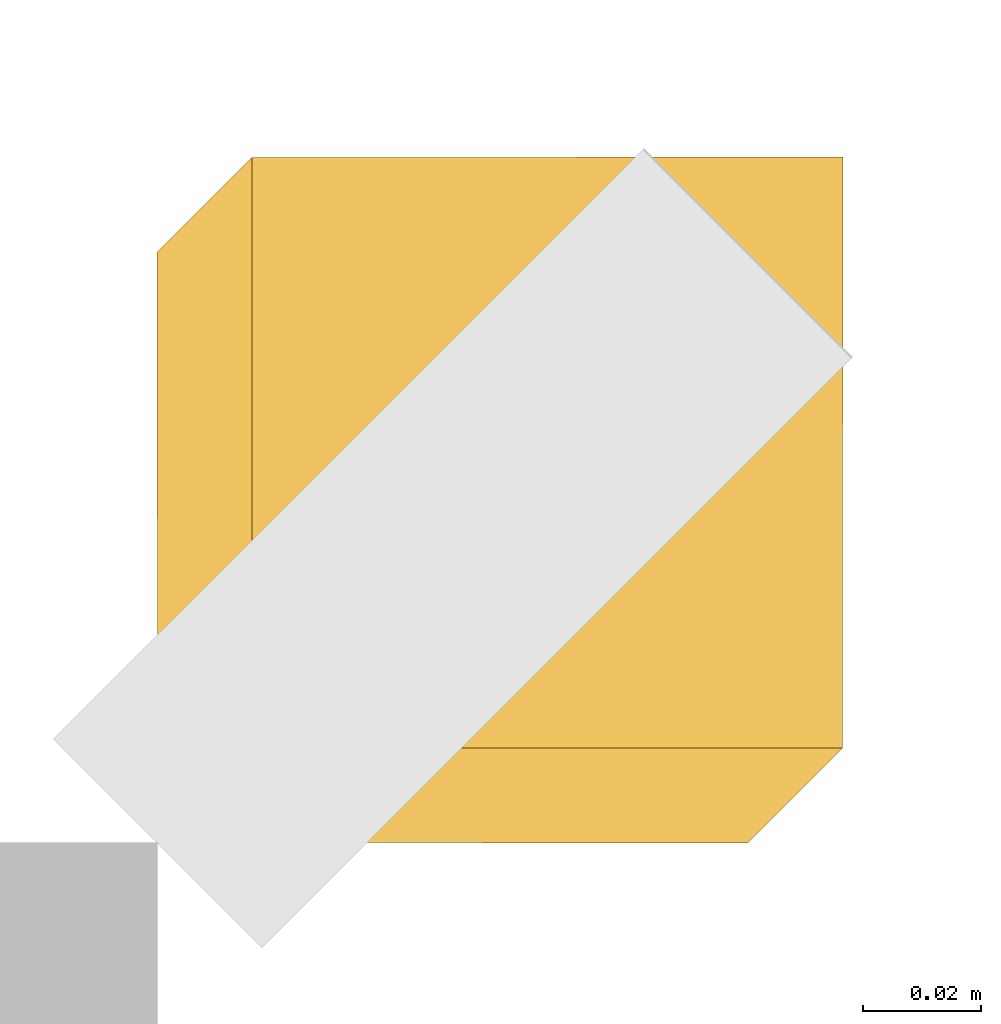
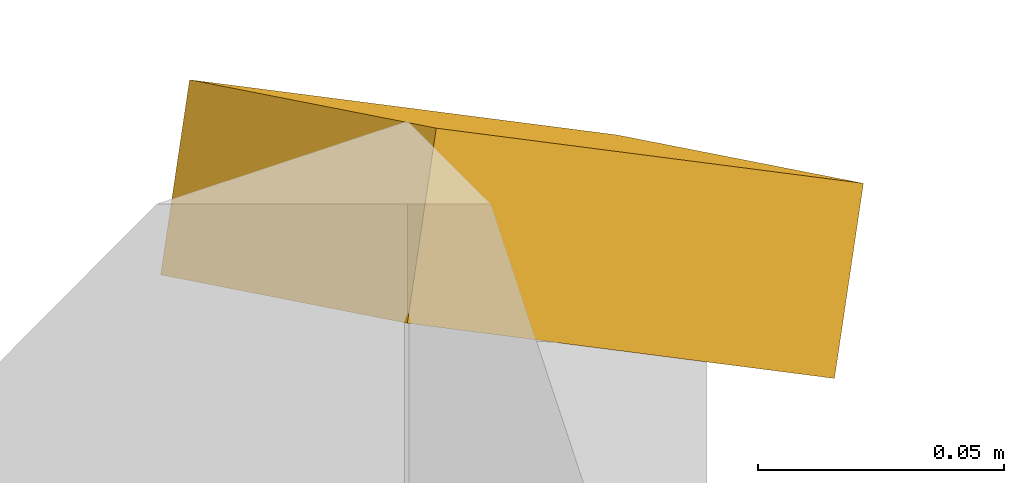
# One storey, part 42 of 44: 1 shading device.
"""IFC4 building model written with IfcOpenShell, lengths in metres."""

from ifc_helpers import new_model, si_unit, direction, frame, origin, place, context, subcontext, project, spatial, polyline, outline, extrude, material, layer, layer_set, type_object, element, save


model = new_model("IFC4")

# Units and contexts
model_context = context("Model", 3, precision=1e-05, world=origin(), true_north=direction((0.0, 1.0)))
body_context = subcontext(model_context, "Body", "Model", "MODEL_VIEW")
ifc_project = project(units=[si_unit("LENGTHUNIT", "METRE"), si_unit("AREAUNIT", "SQUARE_METRE"), si_unit("VOLUMEUNIT", "CUBIC_METRE"), si_unit("PLANEANGLEUNIT", "RADIAN"), si_unit("MASSUNIT", "GRAM", prefix="KILO")], contexts=[model_context])

# Site, building, storey
site_placement = place(None, origin())
site = spatial("IfcSite", under=ifc_project, at=site_placement, CompositionType="ELEMENT")
building_placement = place(site_placement, origin())
building = spatial("IfcBuilding", under=site, at=building_placement, Name="Ussher Court Research Institute", CompositionType="ELEMENT")
storey_placement = place(building_placement, frame((0.0, 0.0, 18.89990234375)))
storey = spatial("IfcBuildingStorey", under=building, at=storey_placement, Name="L04", CompositionType="ELEMENT", Elevation=18.89990234375)

# Shading device
ifc_material = material(Name="Bronze anodised aluminium", Category="aluminium")
ifc_layer = layer(ifc_material, 0.0400390625)
ifc_layer_set = layer_set([ifc_layer], Name="Bronze anodised aluminium")
shading_device_type = type_object("IfcShadingDeviceType", Name="Brim visor sheet 40 mm canted 26 deg wet", PredefinedType="USERDEFINED", material=ifc_layer_set)
shading_device_placement = place(storey_placement, frame((104.216064453125, 33.216064453125, 4.48291015625), z_axis=(0.400847757571, 0.400847757571, 0.823797396512), x_axis=(0.899269394429, -0.000362285341, -0.437395044544)))
element("IfcShadingDevice", 1, at=shading_device_placement, inside=storey, type_object=shading_device_type, Name="Brim visor sheet BR1 L04", ObjectType="BRIM", PredefinedType="USERDEFINED", context=body_context, shape_type="SweptSolid", body=[
    extrude(outline(polyline([(0.0, 0.0), (0.11126515272958254, 0.0), (0.13258606872546647, 0.10931209908468126), (0.021214130096336967, 0.10922405822982874), (0.0, 0.0)])), origin(), (0.0, 0.0, -1.0), 0.0400390625),
])

save(model, "model.ifc")
